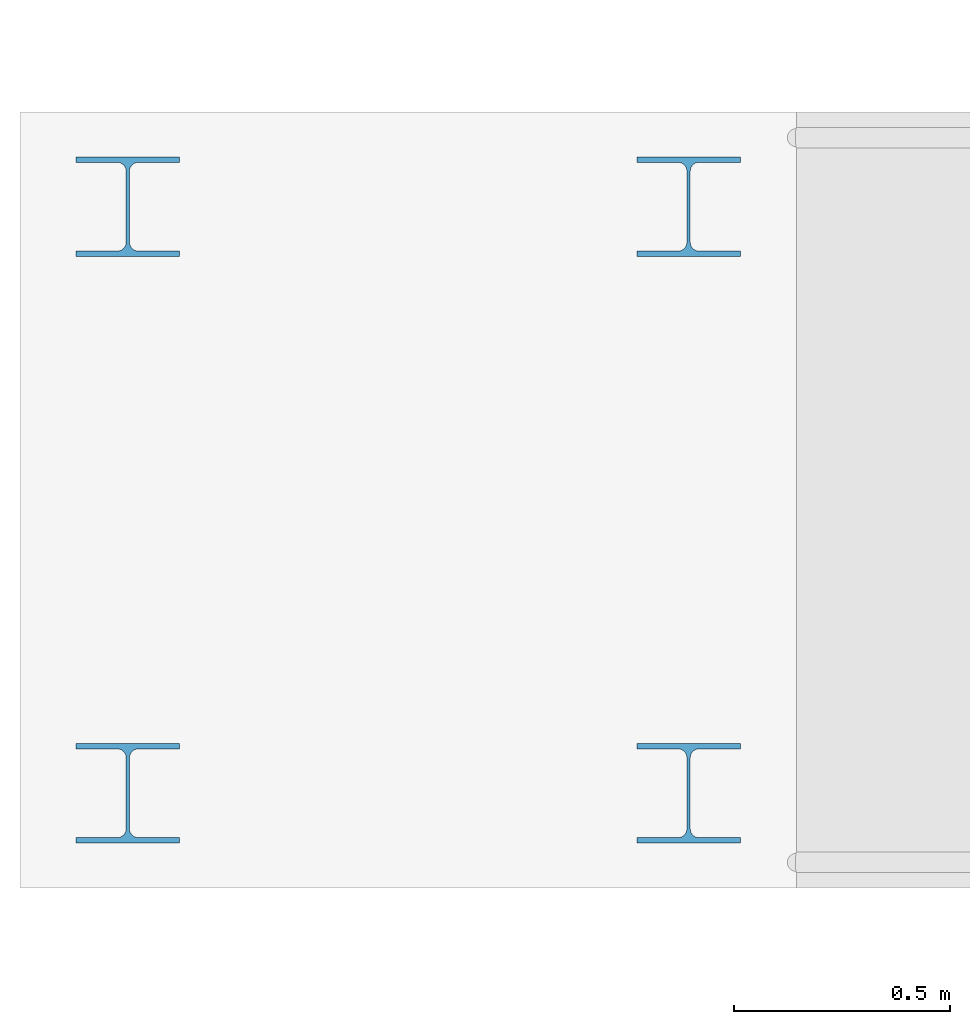
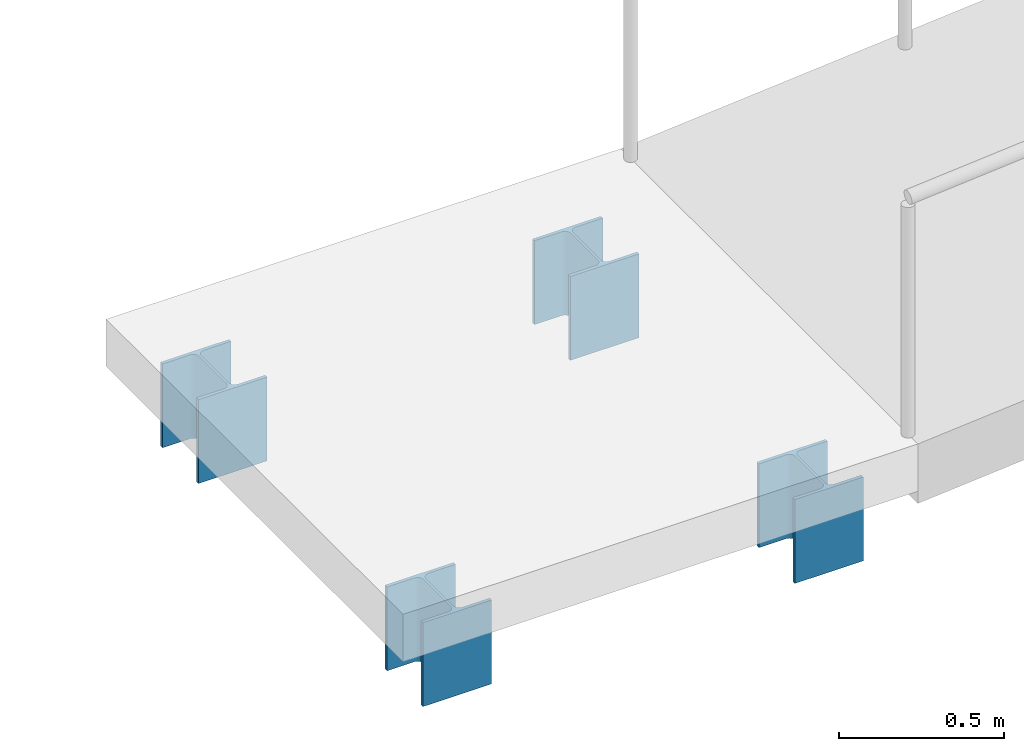
# One storey, part 42 of 86: 4 members.
"""IFC4 building model written with IfcOpenShell, lengths in metres."""

from ifc_helpers import new_model, si_unit, direction, frame, origin, origin_2d, place, context, subcontext, project, spatial, i_section, extrude, material, material_profile, profile_set, type_object, element, save


model = new_model("IFC4")

# Units and contexts
model_context = context("Model", 3, precision=1e-05, world=origin(), true_north=direction((0.0, 1.0)))
body_context = subcontext(model_context, "Body", "Model", "MODEL_VIEW")
ifc_project = project(units=[si_unit("LENGTHUNIT", "METRE"), si_unit("AREAUNIT", "SQUARE_METRE"), si_unit("VOLUMEUNIT", "CUBIC_METRE"), si_unit("PLANEANGLEUNIT", "RADIAN"), si_unit("MASSUNIT", "GRAM", prefix="KILO")], contexts=[model_context])

# Site, building, storey
site_placement = place(None, origin())
site = spatial("IfcSite", under=ifc_project, at=site_placement, CompositionType="ELEMENT")
building_placement = place(site_placement, origin())
building = spatial("IfcBuilding", under=site, at=building_placement, Name="Kenh Van Central Station", CompositionType="ELEMENT")
storey_placement = place(building_placement, origin())
storey = spatial("IfcBuildingStorey", under=building, at=storey_placement, Name="L00", CompositionType="ELEMENT", Elevation=0.0)

# Members
ifc_material = material(Name="Steel S355", Category="steel")
ifc_material_profile = material_profile(ifc_material, i_section(OverallWidth=0.239990234375, OverallDepth=0.22998046875, WebThickness=0.007568359375, FlangeThickness=0.011962890625, FilletRadius=0.02099609375, at=origin_2d()), Name="HEA 240")
ifc_profile_set = profile_set([ifc_material_profile], Name="Steel S355")
member_type = type_object("IfcMemberType", Name="MEM-ROOF-POST240", PredefinedType="POST", material=ifc_profile_set)
for number, where, z_axis, x_axis, name in (
    (1, (-5.050048828125, 11.320068359375, -0.85009765625), (0.0, 0.0, 1.0), (1.0, 0.0, 0.0), "West Street Arcade South Accessible Ramp landing support post 11"),
    (2, (-5.050048828125, 12.679931640625, -0.85009765625), (0.0, 0.0, 1.0), (1.0, 0.0, 0.0), "West Street Arcade South Accessible Ramp landing support post 12"),
    (3, (-6.35009765625, 11.320068359375, -0.85009765625), (0.0, 0.0, 1.0), (1.0, 0.0, 0.0), "West Street Arcade South Accessible Ramp landing support post 21"),
    (4, (-6.35009765625, 12.679931640625, -0.85009765625), (0.0, 0.0, 1.0), (1.0, 0.0, 0.0), "West Street Arcade South Accessible Ramp landing support post 22"),
):
    element("IfcMember", number, at=place(storey_placement, frame(where, z_axis=z_axis, x_axis=x_axis)), inside=storey, type_object=member_type, Name=name, PredefinedType="POST", context=body_context, shape_type="SweptSolid", body=[
        extrude(i_section(OverallWidth=0.239990234375, OverallDepth=0.22998046875, WebThickness=0.007568359375, FlangeThickness=0.011962890625, FilletRadius=0.02099609375, at=origin_2d()), origin(), (0.0, 0.0, 1.0), 0.31005859375),
    ])

save(model, "model.ifc")
